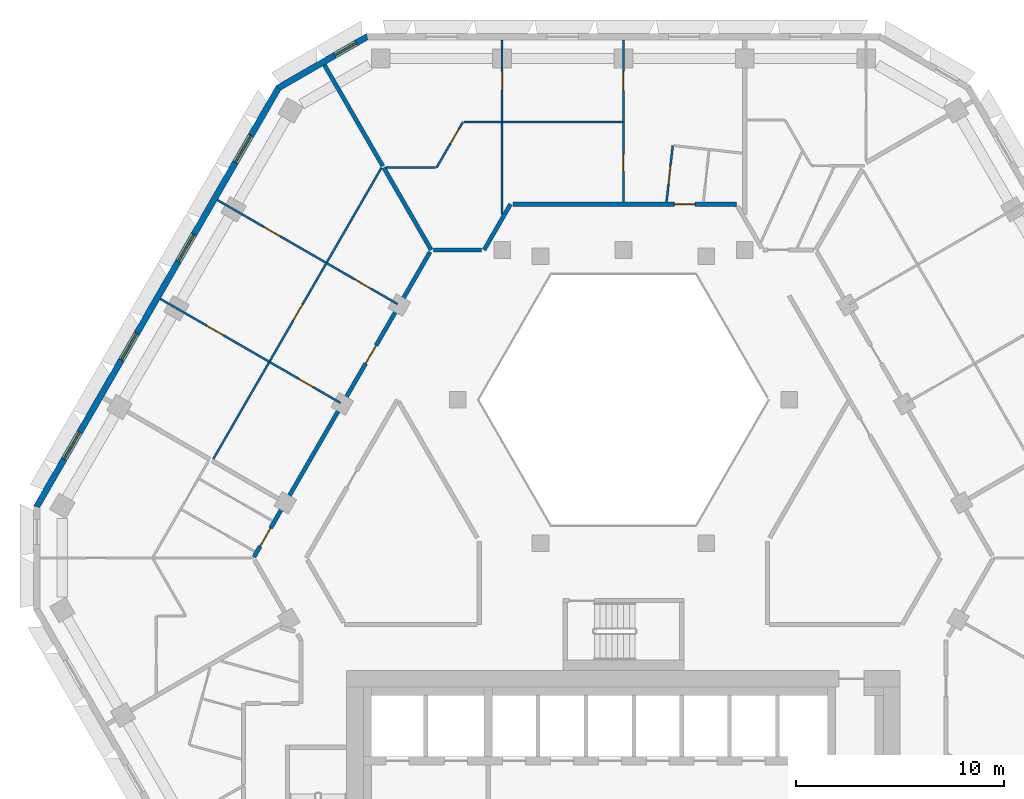
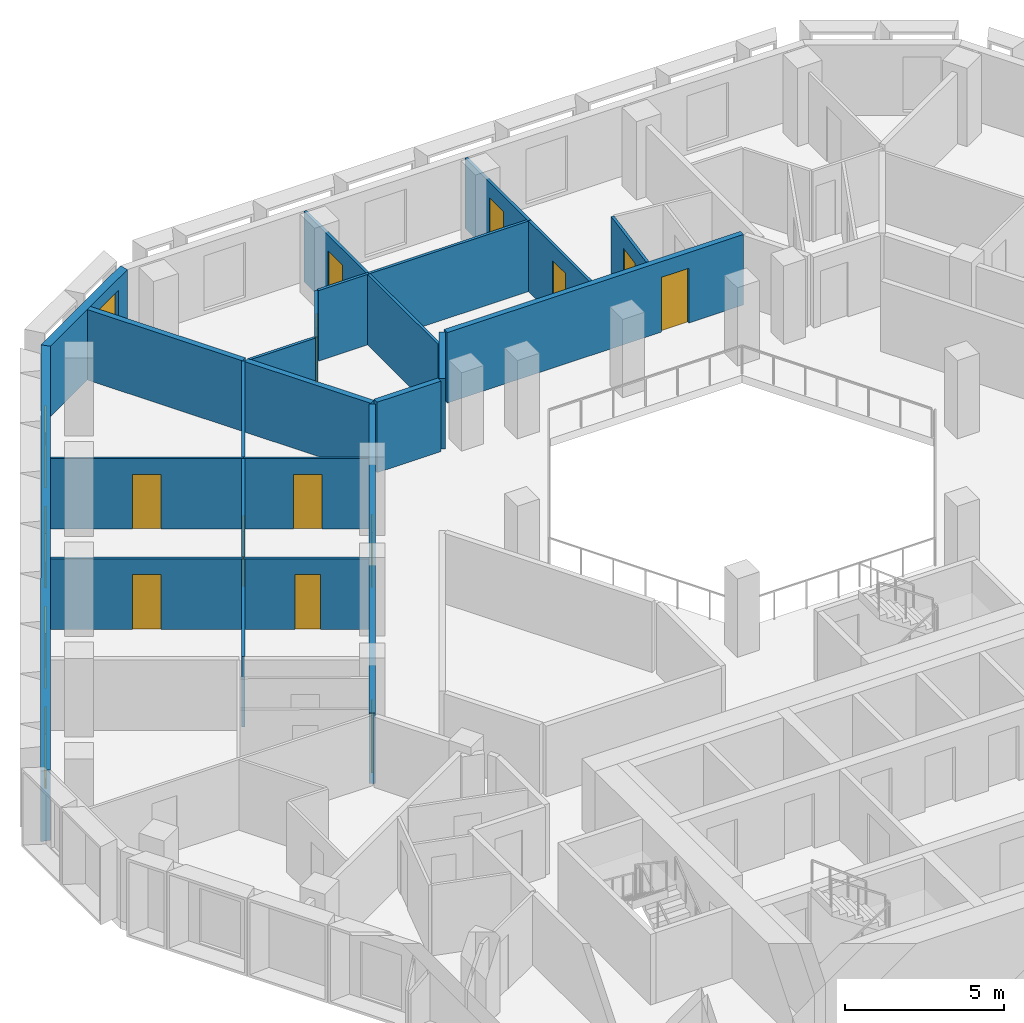
# One storey, part 7 of 15: 21 walls, 13 doors, 5 windows, 18 openings.
"""IFC4 building model written with IfcOpenShell, lengths in metres."""

from ifc_helpers import new_model, si_unit, direction, frame, frame_2d, origin, place, context, subcontext, project, spatial, polyline, rectangle, outline, extrude, material, layer, layer_set, type_object, element, fill, save


model = new_model("IFC4")

# Units and contexts
model_context = context("Model", 3, precision=1e-05, world=origin(), true_north=direction((0.0, 1.0)))
body_context = subcontext(model_context, "Body", "Model", "MODEL_VIEW")
ifc_project = project(units=[si_unit("LENGTHUNIT", "METRE"), si_unit("AREAUNIT", "SQUARE_METRE"), si_unit("VOLUMEUNIT", "CUBIC_METRE"), si_unit("PLANEANGLEUNIT", "RADIAN"), si_unit("MASSUNIT", "GRAM", prefix="KILO")], contexts=[model_context])

# Site, building, storey
site_placement = place(None, origin())
site = spatial("IfcSite", under=ifc_project, at=site_placement, CompositionType="ELEMENT")
building_placement = place(site_placement, origin())
building = spatial("IfcBuilding", under=site, at=building_placement, Name="Beryl Residences", CompositionType="ELEMENT")
storey_placement = place(building_placement, frame((0.0, 0.0, 117.60009765625)))
storey = spatial("IfcBuildingStorey", under=building, at=storey_placement, Name="L35", CompositionType="ELEMENT", Elevation=117.60009765625)

# Wall, opening, window
ifc_material_1 = material(Name="Composite metal panel with mineral wool insulation")
ifc_layer_1 = layer(ifc_material_1, 0.300048828125)
ifc_layer_set_1 = layer_set([ifc_layer_1], Name="ES1 pale metal composite panel wall 300 mm")
wall_type_1 = type_object("IfcWallType", Name="ES1 pale metal composite panel wall 300 mm", PredefinedType="SOLIDWALL", material=ifc_layer_set_1)
wall_1_placement = place(storey_placement, frame((-12.280029296875, 25.469970703125, 0.0), z_axis=(0.0, 0.0, 1.0), x_axis=(-0.866022959057, -0.500004234368, 0.0)))
wall_1 = element("IfcWall", 1, at=wall_1_placement, inside=storey, type_object=wall_type_1, Name="ES1 external wall L35 N-NW", PredefinedType="SOLIDWALL", context=body_context, shape_type="SweptSolid", body=[
    extrude(outline(polyline([(0.0, -0.14990234375), (5.0, -0.14990234375), (4.919677734375, 0.14990234375), (0.080322265625, 0.14990234375), (0.0, -0.14990234375)])), origin(), (0.0, 0.0, 1.0), 2.699951171875),
])
opening_1_placement = place(wall_1_placement, frame((0.64990234375, 0.0, 0.14990234375)))
opening_1 = element("IfcOpeningElement", 2, at=opening_1_placement, cuts=wall_1, Name="Opening W2", PredefinedType="OPENING", context=body_context, shape_type="SweptSolid", body=[
    extrude(rectangle(XDim=1.199951171875, YDim=2.10009765625, at=frame_2d((0.60009765625, 1.050048828125))), frame((0.0, 0.159912109375, 0.0), z_axis=(0.0, -1.0, 0.0), x_axis=(1.0, 0.0, 0.0)), (0.0, 0.0, 1.0), 0.320068359375),
])
ifc_material_2 = material(Name="Aluminium and clear glass", Category="aluminium")
window_type_1 = type_object("IfcWindowType", Name="W2 chamfer window 1200 x 2100 mm", PartitioningType="SINGLE_PANEL", PredefinedType="WINDOW", material=ifc_material_2)
window_1_placement = place(opening_1_placement, origin())
window_1 = element("IfcWindow", 3, at=window_1_placement, inside=storey, type_object=window_type_1, Name="W2 window L35 N-NW 1", OverallHeight=2.10009765625, OverallWidth=1.199951171875, PartitioningType="SINGLE_PANEL", PredefinedType="WINDOW", context=body_context, shape_type="SweptSolid", body=[
    extrude(rectangle(XDim=1.199951171875, YDim=2.10009765625, at=frame_2d((0.60009765625, 1.050048828125))), frame((0.0, 0.030029296875, 0.0), z_axis=(0.0, -1.0, 0.0), x_axis=(1.0, 0.0, 0.0)), (0.0, 0.0, 1.0), 0.06005859375),
])
fill(opening_1, window_1)

# Wall, openings, windows
wall_2_placement = place(storey_placement, frame((-16.554931640625, 23.02490234375, 0.0), z_axis=(0.0, 0.0, 1.0), x_axis=(-0.500020536353, -0.866013546791, 0.0)))
wall_2 = element("IfcWall", 4, at=wall_2_placement, inside=storey, type_object=wall_type_1, Name="ES1 external wall L35 NW", PredefinedType="SOLIDWALL", context=body_context, shape_type="SweptSolid", body=[
    extrude(outline(polyline([(0.0, -0.14990234375), (23.3251953125, -0.14990234375), (23.244873046875, 0.14990234375), (0.080322265625, 0.14990234375), (0.0, -0.14990234375)])), origin(), (0.0, 0.0, 1.0), 2.699951171875),
])
opening_2_placement = place(wall_2_placement, frame((2.68505859375, 0.0, 0.14990234375)))
opening_2 = element("IfcOpeningElement", 5, at=opening_2_placement, cuts=wall_2, Name="Opening W1", PredefinedType="OPENING", context=body_context, shape_type="SweptSolid", body=[
    extrude(rectangle(XDim=1.5, YDim=2.10009765625, at=frame_2d((0.75, 1.050048828125))), frame((0.0, 0.159912109375, 0.0), z_axis=(0.0, -1.0, 0.0), x_axis=(1.0, 0.0, 0.0)), (0.0, 0.0, 1.0), 0.320068359375),
])
opening_3_placement = place(wall_2_placement, frame((8.1708984375, 0.0, 0.14990234375)))
opening_3 = element("IfcOpeningElement", 6, at=opening_3_placement, cuts=wall_2, Name="Opening W1", PredefinedType="OPENING", context=body_context, shape_type="SweptSolid", body=[
    extrude(rectangle(XDim=1.5, YDim=2.10009765625, at=frame_2d((0.75, 1.050048828125))), frame((0.0, 0.159912109375, 0.0), z_axis=(0.0, -1.0, 0.0), x_axis=(1.0, 0.0, 0.0)), (0.0, 0.0, 1.0), 0.320068359375),
])
opening_4_placement = place(wall_2_placement, frame((13.655029296875, 0.0, 0.14990234375)))
opening_4 = element("IfcOpeningElement", 7, at=opening_4_placement, cuts=wall_2, Name="Opening W1", PredefinedType="OPENING", context=body_context, shape_type="SweptSolid", body=[
    extrude(rectangle(XDim=1.5, YDim=2.10009765625, at=frame_2d((0.75, 1.050048828125))), frame((0.0, 0.159912109375, 0.0), z_axis=(0.0, -1.0, 0.0), x_axis=(1.0, 0.0, 0.0)), (0.0, 0.0, 1.0), 0.320068359375),
])
opening_5_placement = place(wall_2_placement, frame((19.139892578125, 0.0, 0.14990234375)))
opening_5 = element("IfcOpeningElement", 8, at=opening_5_placement, cuts=wall_2, Name="Opening W1", PredefinedType="OPENING", context=body_context, shape_type="SweptSolid", body=[
    extrude(rectangle(XDim=1.5, YDim=2.10009765625, at=frame_2d((0.75, 1.050048828125))), frame((0.0, 0.159912109375, 0.0), z_axis=(0.0, -1.0, 0.0), x_axis=(1.0, 0.0, 0.0)), (0.0, 0.0, 1.0), 0.320068359375),
])
ifc_material_3 = material(Name="Aluminium and clear glass", Category="aluminium")
window_type_2 = type_object("IfcWindowType", Name="W1 cell window 1500 x 2100 mm", PartitioningType="SINGLE_PANEL", PredefinedType="WINDOW", material=ifc_material_3)
window_2_placement = place(opening_2_placement, origin())
window_2 = element("IfcWindow", 9, at=window_2_placement, inside=storey, type_object=window_type_2, Name="W1 window L35 NW 2", OverallHeight=2.10009765625, OverallWidth=1.5, PartitioningType="SINGLE_PANEL", PredefinedType="WINDOW", context=body_context, shape_type="SweptSolid", body=[
    extrude(rectangle(XDim=1.5, YDim=2.10009765625, at=frame_2d((0.75, 1.050048828125))), frame((0.0, 0.030029296875, 0.0), z_axis=(0.0, -1.0, 0.0), x_axis=(1.0, 0.0, 0.0)), (0.0, 0.0, 1.0), 0.06005859375),
])
fill(opening_2, window_2)
window_3_placement = place(opening_3_placement, origin())
window_3 = element("IfcWindow", 10, at=window_3_placement, inside=storey, type_object=window_type_2, Name="W1 window L35 NW 4", OverallHeight=2.10009765625, OverallWidth=1.5, PartitioningType="SINGLE_PANEL", PredefinedType="WINDOW", context=body_context, shape_type="SweptSolid", body=[
    extrude(rectangle(XDim=1.5, YDim=2.10009765625, at=frame_2d((0.75, 1.050048828125))), frame((0.0, 0.030029296875, 0.0), z_axis=(0.0, -1.0, 0.0), x_axis=(1.0, 0.0, 0.0)), (0.0, 0.0, 1.0), 0.06005859375),
])
fill(opening_3, window_3)
window_4_placement = place(opening_4_placement, origin())
window_4 = element("IfcWindow", 11, at=window_4_placement, inside=storey, type_object=window_type_2, Name="W1 window L35 NW 6", OverallHeight=2.10009765625, OverallWidth=1.5, PartitioningType="SINGLE_PANEL", PredefinedType="WINDOW", context=body_context, shape_type="SweptSolid", body=[
    extrude(rectangle(XDim=1.5, YDim=2.10009765625, at=frame_2d((0.75, 1.050048828125))), frame((0.0, 0.030029296875, 0.0), z_axis=(0.0, -1.0, 0.0), x_axis=(1.0, 0.0, 0.0)), (0.0, 0.0, 1.0), 0.06005859375),
])
fill(opening_4, window_4)
window_5_placement = place(opening_5_placement, origin())
window_5 = element("IfcWindow", 12, at=window_5_placement, inside=storey, type_object=window_type_2, Name="W1 window L35 NW 8", OverallHeight=2.10009765625, OverallWidth=1.5, PartitioningType="SINGLE_PANEL", PredefinedType="WINDOW", context=body_context, shape_type="SweptSolid", body=[
    extrude(rectangle(XDim=1.5, YDim=2.10009765625, at=frame_2d((0.75, 1.050048828125))), frame((0.0, 0.030029296875, 0.0), z_axis=(0.0, -1.0, 0.0), x_axis=(1.0, 0.0, 0.0)), (0.0, 0.0, 1.0), 0.06005859375),
])
fill(opening_5, window_5)

# Wall, opening, door
ifc_material_4 = material(Name="Gypsum board partition on steel studs", Category="steel")
ifc_layer_2 = layer(ifc_material_4, 0.10009765625)
ifc_layer_set_2 = layer_set([ifc_layer_2], Name="PT1 partition 100 mm gypsum board on steel studs")
wall_type_2 = type_object("IfcWallType", Name="PT1 partition 100 mm gypsum board on steel studs", PredefinedType="PARTITIONING", material=ifc_layer_set_2)
wall_3_placement = place(storey_placement, frame((0.0, 21.324951171875, 0.0), z_axis=(0.0, 0.0, 1.0), x_axis=(0.0, -1.0, 0.0)))
wall_3 = element("IfcWall", 13, at=wall_3_placement, inside=storey, type_object=wall_type_2, Name="Wall PT1 L35 007", PredefinedType="PARTITIONING", context=body_context, shape_type="SweptSolid", body=[
    extrude(rectangle(XDim=3.824951171875, YDim=0.10009765625, at=frame_2d((1.91259765625, 0.0))), origin(), (0.0, 0.0, 1.0), 2.699951171875),
])
opening_6_placement = place(wall_3_placement, frame((1.537109375, 0.0, 0.0)))
opening_6 = element("IfcOpeningElement", 14, at=opening_6_placement, cuts=wall_3, Name="Opening D1233", PredefinedType="OPENING", context=body_context, shape_type="SweptSolid", body=[
    extrude(rectangle(XDim=0.800048828125, YDim=2.10009765625, at=frame_2d((0.39990234375, 1.050048828125))), frame((0.0, 0.06005859375, 0.0), z_axis=(0.0, -1.0, 0.0), x_axis=(1.0, 0.0, 0.0)), (0.0, 0.0, 1.0), 0.1201171875),
])
ifc_material_5 = material(Name="Timber door leaf", Category="wood")
door_type_1 = type_object("IfcDoorType", Name="D3 bathroom door 800 x 2100 mm", OperationType="SINGLE_SWING_LEFT", PredefinedType="DOOR", material=ifc_material_5)
door_1_placement = place(opening_6_placement, origin())
door_1 = element("IfcDoor", 15, at=door_1_placement, inside=storey, type_object=door_type_1, Name="Door D1233 L35 001", OperationType="SINGLE_SWING_LEFT", OverallHeight=2.10009765625, OverallWidth=0.800048828125, PredefinedType="DOOR", context=body_context, shape_type="SweptSolid", body=[
    extrude(rectangle(XDim=0.800048828125, YDim=2.10009765625, at=frame_2d((0.39990234375, 1.050048828125))), frame((0.0, 0.02490234375, 0.0), z_axis=(0.0, -1.0, 0.0), x_axis=(1.0, 0.0, 0.0)), (0.0, 0.0, 1.0), 0.050048828125),
])
fill(opening_6, door_1)

wall_4_placement = place(storey_placement, frame((-22.257080078125, 12.85009765625, 0.0), z_axis=(0.0, 0.0, 1.0), x_axis=(0.866028448709, -0.499994725999, 0.0)))
wall_4 = element("IfcWall", 16, at=wall_4_placement, inside=storey, type_object=wall_type_2, Name="Wall PT1 L35 015", PredefinedType="PARTITIONING", context=body_context, shape_type="SweptSolid", body=[
    extrude(rectangle(XDim=6.05419921875, YDim=0.10009765625, at=frame_2d((3.027099609375, 0.0))), origin(), (0.0, 0.0, 1.0), 2.699951171875),
])
opening_7_placement = place(wall_4_placement, frame((2.576904296875, 0.0, 0.0)))
opening_7 = element("IfcOpeningElement", 17, at=opening_7_placement, cuts=wall_4, Name="Opening D1241", PredefinedType="OPENING", context=body_context, shape_type="SweptSolid", body=[
    extrude(rectangle(XDim=0.89990234375, YDim=2.10009765625, at=frame_2d((0.449951171875, 1.050048828125))), frame((0.0, 0.06005859375, 0.0), z_axis=(0.0, -1.0, 0.0), x_axis=(1.0, 0.0, 0.0)), (0.0, 0.0, 1.0), 0.1201171875),
])
ifc_material_6 = material(Name="Timber door leaf", Category="wood")
door_type_2 = type_object("IfcDoorType", Name="D2 room door 900 x 2100 mm", OperationType="SINGLE_SWING_LEFT", PredefinedType="DOOR", material=ifc_material_6)
door_2_placement = place(opening_7_placement, origin())
door_2 = element("IfcDoor", 18, at=door_2_placement, inside=storey, type_object=door_type_2, Name="Door D1241 L35 001", OperationType="SINGLE_SWING_LEFT", OverallHeight=2.10009765625, OverallWidth=0.89990234375, PredefinedType="DOOR", context=body_context, shape_type="SweptSolid", body=[
    extrude(rectangle(XDim=0.89990234375, YDim=2.10009765625, at=frame_2d((0.449951171875, 1.050048828125))), frame((0.0, 0.02490234375, 0.0), z_axis=(0.0, -1.0, 0.0), x_axis=(1.0, 0.0, 0.0)), (0.0, 0.0, 1.0), 0.050048828125),
])
fill(opening_7, door_2)

wall_5_placement = place(storey_placement, frame((-19.513916015625, 17.59912109375, 0.0), z_axis=(0.0, 0.0, 1.0), x_axis=(0.866088213453, -0.49989119468, 0.0)))
wall_5 = element("IfcWall", 19, at=wall_5_placement, inside=storey, type_object=wall_type_2, Name="Wall PT1 L35 017", PredefinedType="PARTITIONING", context=body_context, shape_type="SweptSolid", body=[
    extrude(rectangle(XDim=6.053466796875, YDim=0.10009765625, at=frame_2d((3.02685546875, 0.0))), origin(), (0.0, 0.0, 1.0), 2.699951171875),
])
opening_8_placement = place(wall_5_placement, frame((2.576904296875, 0.0, 0.0)))
opening_8 = element("IfcOpeningElement", 20, at=opening_8_placement, cuts=wall_5, Name="Opening D1242", PredefinedType="OPENING", context=body_context, shape_type="SweptSolid", body=[
    extrude(rectangle(XDim=0.89990234375, YDim=2.10009765625, at=frame_2d((0.449951171875, 1.050048828125))), frame((0.0, 0.06005859375, 0.0), z_axis=(0.0, -1.0, 0.0), x_axis=(1.0, 0.0, 0.0)), (0.0, 0.0, 1.0), 0.1201171875),
])
door_3_placement = place(opening_8_placement, origin())
door_3 = element("IfcDoor", 21, at=door_3_placement, inside=storey, type_object=door_type_2, Name="Door D1242 L35 001", OperationType="SINGLE_SWING_RIGHT", OverallHeight=2.10009765625, OverallWidth=0.89990234375, PredefinedType="DOOR", context=body_context, shape_type="SweptSolid", body=[
    extrude(rectangle(XDim=0.89990234375, YDim=2.10009765625, at=frame_2d((0.449951171875, 1.050048828125))), frame((0.0, 0.02490234375, 0.0), z_axis=(0.0, -1.0, 0.0), x_axis=(1.0, 0.0, 0.0)), (0.0, 0.0, 1.0), 0.050048828125),
])
fill(opening_8, door_3)

# Walls
wall_6_placement = place(storey_placement, frame((-11.405029296875, 19.155029296875, 0.0), z_axis=(0.0, 0.0, 1.0), x_axis=(1.0, 0.0, 0.0)))
element("IfcWall", 22, at=wall_6_placement, inside=storey, type_object=wall_type_2, Name="Wall PT1 L35 025", PredefinedType="PARTITIONING", context=body_context, shape_type="SweptSolid", body=[
    extrude(rectangle(XDim=2.366943359375, YDim=0.10009765625, at=frame_2d((1.18359375, 0.0))), origin(), (0.0, 0.0, 1.0), 2.699951171875),
])
wall_7_placement = place(storey_placement, frame((-7.652099609375, 21.35498046875, 0.0), z_axis=(0.0, 0.0, 1.0), x_axis=(1.0, 0.0, 0.0)))
element("IfcWall", 23, at=wall_7_placement, inside=storey, type_object=wall_type_2, Name="Wall PT1 L35 027", PredefinedType="PARTITIONING", context=body_context, shape_type="SweptSolid", body=[
    extrude(rectangle(XDim=1.821044921875, YDim=0.10009765625, at=frame_2d((0.91064453125, 0.0))), origin(), (0.0, 0.0, 1.0), 2.699951171875),
])

# Wall, opening, door
wall_8_placement = place(storey_placement, frame((-8.98095703125, 19.155029296875, 0.0), z_axis=(0.0, 0.0, 1.0), x_axis=(0.500130227609, 0.865950203783, 0.0)))
wall_8 = element("IfcWall", 24, at=wall_8_placement, inside=storey, type_object=wall_type_2, Name="Wall PT1 L35 030", PredefinedType="PARTITIONING", context=body_context, shape_type="SweptSolid", body=[
    extrude(rectangle(XDim=2.539306640625, YDim=0.10009765625, at=frame_2d((1.26953125, 0.0))), origin(), (0.0, 0.0, 1.0), 2.699951171875),
])
opening_9_placement = place(wall_8_placement, frame((1.340087890625, 0.0, 0.0)))
opening_9 = element("IfcOpeningElement", 25, at=opening_9_placement, cuts=wall_8, Name="Opening D1236", PredefinedType="OPENING", context=body_context, shape_type="SweptSolid", body=[
    extrude(rectangle(XDim=0.800048828125, YDim=2.10009765625, at=frame_2d((0.39990234375, 1.050048828125))), frame((0.0, 0.06005859375, 0.0), z_axis=(0.0, -1.0, 0.0), x_axis=(1.0, 0.0, 0.0)), (0.0, 0.0, 1.0), 0.1201171875),
])
door_4_placement = place(opening_9_placement, origin())
door_4 = element("IfcDoor", 26, at=door_4_placement, inside=storey, type_object=door_type_1, Name="Door D1236 L35 001", OperationType="SINGLE_SWING_RIGHT", OverallHeight=2.10009765625, OverallWidth=0.800048828125, PredefinedType="DOOR", context=body_context, shape_type="SweptSolid", body=[
    extrude(rectangle(XDim=0.800048828125, YDim=2.10009765625, at=frame_2d((0.39990234375, 1.050048828125))), frame((0.0, 0.02490234375, 0.0), z_axis=(0.0, -1.0, 0.0), x_axis=(1.0, 0.0, 0.0)), (0.0, 0.0, 1.0), 0.050048828125),
])
fill(opening_9, door_4)

wall_9_placement = place(storey_placement, frame((-19.7060546875, 5.159912109375, 0.0), z_axis=(0.0, 0.0, 1.0), x_axis=(0.500003799672, 0.866023210032, 0.0)))
wall_9 = element("IfcWall", 27, at=wall_9_placement, inside=storey, type_object=wall_type_2, Name="Wall PT1 L35 031", PredefinedType="PARTITIONING", context=body_context, shape_type="SweptSolid", body=[
    extrude(rectangle(XDim=16.149658203125, YDim=0.10009765625, at=frame_2d((8.07470703125, 0.0))), origin(), (0.0, 0.0, 1.0), 2.699951171875),
])
opening_10_placement = place(wall_9_placement, frame((7.677001953125, 0.0, 0.0)))
opening_10 = element("IfcOpeningElement", 28, at=opening_10_placement, cuts=wall_9, Name="Opening D1238", PredefinedType="OPENING", context=body_context, shape_type="SweptSolid", body=[
    extrude(rectangle(XDim=0.89990234375, YDim=2.10009765625, at=frame_2d((0.449951171875, 1.050048828125))), frame((0.0, 0.06005859375, 0.0), z_axis=(0.0, -1.0, 0.0), x_axis=(1.0, 0.0, 0.0)), (0.0, 0.0, 1.0), 0.1201171875),
])
door_5_placement = place(opening_10_placement, origin())
door_5 = element("IfcDoor", 29, at=door_5_placement, inside=storey, type_object=door_type_2, Name="Door D1238 L35 001", OperationType="SINGLE_SWING_RIGHT", OverallHeight=2.10009765625, OverallWidth=0.89990234375, PredefinedType="DOOR", context=body_context, shape_type="SweptSolid", body=[
    extrude(rectangle(XDim=0.89990234375, YDim=2.10009765625, at=frame_2d((0.449951171875, 1.050048828125))), frame((0.0, 0.02490234375, 0.0), z_axis=(0.0, -1.0, 0.0), x_axis=(1.0, 0.0, 0.0)), (0.0, 0.0, 1.0), 0.050048828125),
])
fill(opening_10, door_5)

wall_10_placement = place(storey_placement, frame((2.070068359375, 17.5, 0.0), z_axis=(0.0, 0.0, 1.0), x_axis=(0.108970694085, 0.994044962681, 0.0)))
wall_10 = element("IfcWall", 30, at=wall_10_placement, inside=storey, type_object=wall_type_2, Name="Wall PT1 L35 036", PredefinedType="PARTITIONING", context=body_context, shape_type="SweptSolid", body=[
    extrude(rectangle(XDim=2.7333984375, YDim=0.10009765625, at=frame_2d((1.36669921875, 0.0))), origin(), (0.0, 0.0, 1.0), 2.699951171875),
])
opening_11_placement = place(wall_10_placement, frame((0.866943359375, 0.0, 0.0)))
opening_11 = element("IfcOpeningElement", 31, at=opening_11_placement, cuts=wall_10, Name="Opening D1231", PredefinedType="OPENING", context=body_context, shape_type="SweptSolid", body=[
    extrude(rectangle(XDim=0.89990234375, YDim=2.10009765625, at=frame_2d((0.449951171875, 1.050048828125))), frame((0.0, 0.06005859375, 0.0), z_axis=(0.0, -1.0, 0.0), x_axis=(1.0, 0.0, 0.0)), (0.0, 0.0, 1.0), 0.1201171875),
])
door_6_placement = place(opening_11_placement, origin())
door_6 = element("IfcDoor", 32, at=door_6_placement, inside=storey, type_object=door_type_2, Name="Door D1231 L35 001", OperationType="SINGLE_SWING_LEFT", OverallHeight=2.10009765625, OverallWidth=0.89990234375, PredefinedType="DOOR", context=body_context, shape_type="SweptSolid", body=[
    extrude(rectangle(XDim=0.89990234375, YDim=2.10009765625, at=frame_2d((0.449951171875, 1.050048828125))), frame((0.0, 0.02490234375, 0.0), z_axis=(0.0, -1.0, 0.0), x_axis=(1.0, 0.0, 0.0)), (0.0, 0.0, 1.0), 0.050048828125),
])
fill(opening_11, door_6)

wall_11_placement = place(storey_placement, frame((0.0, 21.3349609375, 0.0), z_axis=(0.0, 0.0, 1.0), x_axis=(0.0, 1.0, 0.0)))
wall_11 = element("IfcWall", 33, at=wall_11_placement, inside=storey, type_object=wall_type_2, Name="Wall PT1 L35 043", PredefinedType="PARTITIONING", context=body_context, shape_type="SweptSolid", body=[
    extrude(rectangle(XDim=3.965087890625, YDim=0.10009765625, at=frame_2d((1.982421875, 0.0))), origin(), (0.0, 0.0, 1.0), 2.699951171875),
])
opening_12_placement = place(wall_11_placement, frame((1.532958984375, 0.0, 0.0)))
opening_12 = element("IfcOpeningElement", 34, at=opening_12_placement, cuts=wall_11, Name="Opening D1234", PredefinedType="OPENING", context=body_context, shape_type="SweptSolid", body=[
    extrude(rectangle(XDim=0.89990234375, YDim=2.10009765625, at=frame_2d((0.449951171875, 1.050048828125))), frame((0.0, 0.06005859375, 0.0), z_axis=(0.0, -1.0, 0.0), x_axis=(1.0, 0.0, 0.0)), (0.0, 0.0, 1.0), 0.1201171875),
])
door_7_placement = place(opening_12_placement, origin())
door_7 = element("IfcDoor", 35, at=door_7_placement, inside=storey, type_object=door_type_2, Name="Door D1234 L35 001", OperationType="SINGLE_SWING_RIGHT", OverallHeight=2.10009765625, OverallWidth=0.89990234375, PredefinedType="DOOR", context=body_context, shape_type="SweptSolid", body=[
    extrude(rectangle(XDim=0.89990234375, YDim=2.10009765625, at=frame_2d((0.449951171875, 1.050048828125))), frame((0.0, 0.02490234375, 0.0), z_axis=(0.0, -1.0, 0.0), x_axis=(1.0, 0.0, 0.0)), (0.0, 0.0, 1.0), 0.050048828125),
])
fill(opening_12, door_7)

wall_12_placement = place(storey_placement, frame((-5.8310546875, 16.89990234375, 0.0), z_axis=(0.0, 0.0, 1.0), x_axis=(0.0, 1.0, 0.0)))
wall_12 = element("IfcWall", 36, at=wall_12_placement, inside=storey, type_object=wall_type_2, Name="Wall PT1 L35 045", PredefinedType="PARTITIONING", context=body_context, shape_type="SweptSolid", body=[
    extrude(rectangle(XDim=8.400146484375, YDim=0.10009765625, at=frame_2d((4.2001953125, 0.0))), origin(), (0.0, 0.0, 1.0), 2.699951171875),
])
opening_13_placement = place(wall_12_placement, frame((5.97705078125, 0.0, 0.0)))
opening_13 = element("IfcOpeningElement", 37, at=opening_13_placement, cuts=wall_12, Name="Opening D1235", PredefinedType="OPENING", context=body_context, shape_type="SweptSolid", body=[
    extrude(rectangle(XDim=0.89990234375, YDim=2.10009765625, at=frame_2d((0.449951171875, 1.050048828125))), frame((0.0, 0.06005859375, 0.0), z_axis=(0.0, -1.0, 0.0), x_axis=(1.0, 0.0, 0.0)), (0.0, 0.0, 1.0), 0.1201171875),
])
door_8_placement = place(opening_13_placement, origin())
door_8 = element("IfcDoor", 38, at=door_8_placement, inside=storey, type_object=door_type_2, Name="Door D1235 L35 001", OperationType="SINGLE_SWING_LEFT", OverallHeight=2.10009765625, OverallWidth=0.89990234375, PredefinedType="DOOR", context=body_context, shape_type="SweptSolid", body=[
    extrude(rectangle(XDim=0.89990234375, YDim=2.10009765625, at=frame_2d((0.449951171875, 1.050048828125))), frame((0.0, 0.02490234375, 0.0), z_axis=(0.0, -1.0, 0.0), x_axis=(1.0, 0.0, 0.0)), (0.0, 0.0, 1.0), 0.050048828125),
])
fill(opening_13, door_8)

wall_13_placement = place(storey_placement, frame((-17.013916015625, 9.822998046875, 0.0), z_axis=(0.0, 0.0, 1.0), x_axis=(0.866076396086, -0.499911668341, 0.0)))
wall_13 = element("IfcWall", 39, at=wall_13_placement, inside=storey, type_object=wall_type_2, Name="Wall PT1 L35 055", PredefinedType="PARTITIONING", context=body_context, shape_type="SweptSolid", body=[
    extrude(rectangle(XDim=3.946533203125, YDim=0.10009765625, at=frame_2d((1.97314453125, 0.0))), origin(), (0.0, 0.0, 1.0), 2.699951171875),
])
opening_14_placement = place(wall_13_placement, frame((1.623046875, 0.0, 0.0)))
opening_14 = element("IfcOpeningElement", 40, at=opening_14_placement, cuts=wall_13, Name="Opening D1240", PredefinedType="OPENING", context=body_context, shape_type="SweptSolid", body=[
    extrude(rectangle(XDim=0.800048828125, YDim=2.10009765625, at=frame_2d((0.39990234375, 1.050048828125))), frame((0.0, 0.06005859375, 0.0), z_axis=(0.0, -1.0, 0.0), x_axis=(1.0, 0.0, 0.0)), (0.0, 0.0, 1.0), 0.1201171875),
])
door_9_placement = place(opening_14_placement, origin())
door_9 = element("IfcDoor", 41, at=door_9_placement, inside=storey, type_object=door_type_1, Name="Door D1240 L35 001", OperationType="SINGLE_SWING_RIGHT", OverallHeight=2.10009765625, OverallWidth=0.800048828125, PredefinedType="DOOR", context=body_context, shape_type="SweptSolid", body=[
    extrude(rectangle(XDim=0.800048828125, YDim=2.10009765625, at=frame_2d((0.39990234375, 1.050048828125))), frame((0.0, 0.02490234375, 0.0), z_axis=(0.0, -1.0, 0.0), x_axis=(1.0, 0.0, 0.0)), (0.0, 0.0, 1.0), 0.050048828125),
])
fill(opening_14, door_9)

wall_14_placement = place(storey_placement, frame((-14.27099609375, 14.572998046875, 0.0), z_axis=(0.0, 0.0, 1.0), x_axis=(0.866014535457, -0.500018824023, 0.0)))
wall_14 = element("IfcWall", 42, at=wall_14_placement, inside=storey, type_object=wall_type_2, Name="Wall PT1 L35 056", PredefinedType="PARTITIONING", context=body_context, shape_type="SweptSolid", body=[
    extrude(rectangle(XDim=3.945556640625, YDim=0.10009765625, at=frame_2d((1.97265625, 0.0))), origin(), (0.0, 0.0, 1.0), 2.699951171875),
])
opening_15_placement = place(wall_14_placement, frame((1.573974609375, 0.0, 0.0)))
opening_15 = element("IfcOpeningElement", 43, at=opening_15_placement, cuts=wall_14, Name="Opening D1239", PredefinedType="OPENING", context=body_context, shape_type="SweptSolid", body=[
    extrude(rectangle(XDim=0.89990234375, YDim=2.10009765625, at=frame_2d((0.449951171875, 1.050048828125))), frame((0.0, 0.06005859375, 0.0), z_axis=(0.0, -1.0, 0.0), x_axis=(1.0, 0.0, 0.0)), (0.0, 0.0, 1.0), 0.1201171875),
])
door_10_placement = place(opening_15_placement, origin())
door_10 = element("IfcDoor", 44, at=door_10_placement, inside=storey, type_object=door_type_2, Name="Door D1239 L35 001", OperationType="SINGLE_SWING_LEFT", OverallHeight=2.10009765625, OverallWidth=0.89990234375, PredefinedType="DOOR", context=body_context, shape_type="SweptSolid", body=[
    extrude(rectangle(XDim=0.89990234375, YDim=2.10009765625, at=frame_2d((0.449951171875, 1.050048828125))), frame((0.0, 0.02490234375, 0.0), z_axis=(0.0, -1.0, 0.0), x_axis=(1.0, 0.0, 0.0)), (0.0, 0.0, 1.0), 0.050048828125),
])
fill(opening_15, door_10)

# Walls
wall_15_placement = place(storey_placement, frame((-5.8310546875, 21.35498046875, 0.0), z_axis=(0.0, 0.0, 1.0), x_axis=(1.0, 0.0, 0.0)))
element("IfcWall", 45, at=wall_15_placement, inside=storey, type_object=wall_type_2, Name="Wall PT1 L35 057", PredefinedType="PARTITIONING", context=body_context, shape_type="SweptSolid", body=[
    extrude(rectangle(XDim=5.781005859375, YDim=0.10009765625, at=frame_2d((2.890625, 0.0))), origin(), (0.0, 0.0, 1.0), 2.699951171875),
])
ifc_material_7 = material(Name="Acoustic double stud gypsum board wall")
ifc_layer_3 = layer(ifc_material_7, 0.199951171875)
ifc_layer_set_3 = layer_set([ifc_layer_3], Name="PT3 party wall 200 mm acoustic double stud")
wall_type_3 = type_object("IfcWallType", Name="PT3 party wall 200 mm acoustic double stud", PredefinedType="PARTITIONING", material=ifc_layer_set_3)
wall_16_placement = place(storey_placement, frame((-14.3701171875, 24.090087890625, 0.0), z_axis=(0.0, 0.0, 1.0), x_axis=(0.499982088007, -0.866035745032, 0.0)))
element("IfcWall", 46, at=wall_16_placement, inside=storey, type_object=wall_type_3, Name="Wall PT3 L35 001", PredefinedType="PARTITIONING", context=body_context, shape_type="SweptSolid", body=[
    extrude(rectangle(XDim=5.616455078125, YDim=0.199951171875, at=frame_2d((2.80810546875, 0.0))), origin(), (0.0, 0.0, 1.0), 2.699951171875),
])
wall_17_placement = place(storey_placement, frame((-11.52001953125, 19.155029296875, 0.0), z_axis=(0.0, 0.0, 1.0), x_axis=(0.499916824138, -0.866073420066, 0.0)))
element("IfcWall", 47, at=wall_17_placement, inside=storey, type_object=wall_type_3, Name="Wall PT3 L35 002", PredefinedType="PARTITIONING", context=body_context, shape_type="SweptSolid", body=[
    extrude(rectangle(XDim=4.566650390625, YDim=0.199951171875, at=frame_2d((2.283203125, 0.0))), origin(), (0.0, 0.0, 1.0), 2.699951171875),
])
ifc_material_8 = material(Name="Double stud gypsum board wall")
ifc_layer_4 = layer(ifc_material_8, 0.199951171875)
ifc_layer_set_4 = layer_set([ifc_layer_4], Name="PT4 corridor wall 200 mm double stud")
wall_type_4 = type_object("IfcWallType", Name="PT4 corridor wall 200 mm double stud", PredefinedType="PARTITIONING", material=ifc_layer_set_4)
wall_18_placement = place(storey_placement, frame((-9.12109375, 15.199951171875, 0.0), z_axis=(0.0, 0.0, 1.0), x_axis=(1.0, 0.0, 0.0)))
element("IfcWall", 48, at=wall_18_placement, inside=storey, type_object=wall_type_4, Name="Wall PT4 L35 015", PredefinedType="PARTITIONING", context=body_context, shape_type="SweptSolid", body=[
    extrude(rectangle(XDim=2.30810546875, YDim=0.199951171875, at=frame_2d((1.154052734375, 0.0))), origin(), (0.0, 0.0, 1.0), 2.699951171875),
])

# Wall, opening, door
wall_19_placement = place(storey_placement, frame((-5.31103515625, 17.39990234375, 0.0), z_axis=(0.0, 0.0, 1.0), x_axis=(1.0, 0.0, 0.0)))
wall_19 = element("IfcWall", 49, at=wall_19_placement, inside=storey, type_object=wall_type_4, Name="Wall PT4 L35 017", PredefinedType="PARTITIONING", context=body_context, shape_type="SweptSolid", body=[
    extrude(rectangle(XDim=10.738037109375, YDim=0.199951171875, at=frame_2d((5.369140625, 0.0))), origin(), (0.0, 0.0, 1.0), 2.699951171875),
])
opening_16_placement = place(wall_19_placement, frame((7.758056640625, 0.0, 0.0)))
opening_16 = element("IfcOpeningElement", 50, at=opening_16_placement, cuts=wall_19, Name="Opening D1230", PredefinedType="OPENING", context=body_context, shape_type="SweptSolid", body=[
    extrude(rectangle(XDim=1.0, YDim=2.10009765625, at=frame_2d((0.5, 1.050048828125))), frame((0.0, 0.10986328125, 0.0), z_axis=(0.0, -1.0, 0.0), x_axis=(1.0, 0.0, 0.0)), (0.0, 0.0, 1.0), 0.219970703125),
])
ifc_material_9 = material(Name="Timber door leaf", Category="wood")
door_type_3 = type_object("IfcDoorType", Name="D1 flat entrance door 1000 x 2100 mm", OperationType="SINGLE_SWING_LEFT", PredefinedType="DOOR", material=ifc_material_9)
door_11_placement = place(opening_16_placement, origin())
door_11 = element("IfcDoor", 51, at=door_11_placement, inside=storey, type_object=door_type_3, Name="Door D1230 L35 001", OperationType="SINGLE_SWING_RIGHT", OverallHeight=2.10009765625, OverallWidth=1.0, PredefinedType="DOOR", context=body_context, shape_type="SweptSolid", body=[
    extrude(rectangle(XDim=1.0, YDim=2.10009765625, at=frame_2d((0.5, 1.050048828125))), frame((0.0, 0.02490234375, 0.0), z_axis=(0.0, -1.0, 0.0), x_axis=(1.0, 0.0, 0.0)), (0.0, 0.0, 1.0), 0.050048828125),
])
fill(opening_16, door_11)

# Wall
wall_20_placement = place(storey_placement, frame((-6.697021484375, 15.199951171875, 0.0), z_axis=(0.0, 0.0, 1.0), x_axis=(0.499963722229, 0.866046347752, 0.0)))
element("IfcWall", 52, at=wall_20_placement, inside=storey, type_object=wall_type_4, Name="Wall PT4 L35 022", PredefinedType="PARTITIONING", context=body_context, shape_type="SweptSolid", body=[
    extrude(rectangle(XDim=2.540283203125, YDim=0.199951171875, at=frame_2d((1.27001953125, 0.0))), origin(), (0.0, 0.0, 1.0), 2.699951171875),
])

# Wall, openings, doors
wall_21_placement = place(storey_placement, frame((-17.7529296875, 0.449951171875, 0.0), z_axis=(0.0, 0.0, 1.0), x_axis=(0.499988552313, 0.866032013009, 0.0)))
wall_21 = element("IfcWall", 53, at=wall_21_placement, inside=storey, type_object=wall_type_4, Name="Wall PT4 L35 023", PredefinedType="PARTITIONING", context=body_context, shape_type="SweptSolid", body=[
    extrude(rectangle(XDim=16.91650390625, YDim=0.199951171875, at=frame_2d((8.458251953125, 0.0))), origin(), (0.0, 0.0, 1.0), 2.699951171875),
])
opening_17_placement = place(wall_21_placement, frame((10.72998046875, 0.0, 0.0)))
opening_17 = element("IfcOpeningElement", 54, at=opening_17_placement, cuts=wall_21, Name="Opening D1237", PredefinedType="OPENING", context=body_context, shape_type="SweptSolid", body=[
    extrude(rectangle(XDim=1.0, YDim=2.10009765625, at=frame_2d((0.5, 1.050048828125))), frame((0.0, 0.10986328125, 0.0), z_axis=(0.0, -1.0, 0.0), x_axis=(1.0, 0.0, 0.0)), (0.0, 0.0, 1.0), 0.219970703125),
])
opening_18_placement = place(wall_21_placement, frame((0.593994140625, 0.0, 0.0)))
opening_18 = element("IfcOpeningElement", 55, at=opening_18_placement, cuts=wall_21, Name="Opening D1243", PredefinedType="OPENING", context=body_context, shape_type="SweptSolid", body=[
    extrude(rectangle(XDim=1.0, YDim=2.10009765625, at=frame_2d((0.5, 1.050048828125))), frame((0.0, 0.10986328125, 0.0), z_axis=(0.0, -1.0, 0.0), x_axis=(1.0, 0.0, 0.0)), (0.0, 0.0, 1.0), 0.219970703125),
])
door_12_placement = place(opening_17_placement, origin())
door_12 = element("IfcDoor", 56, at=door_12_placement, inside=storey, type_object=door_type_3, Name="Door D1237 L35 001", OperationType="SINGLE_SWING_LEFT", OverallHeight=2.10009765625, OverallWidth=1.0, PredefinedType="DOOR", context=body_context, shape_type="SweptSolid", body=[
    extrude(rectangle(XDim=1.0, YDim=2.10009765625, at=frame_2d((0.5, 1.050048828125))), frame((0.0, 0.02490234375, 0.0), z_axis=(0.0, -1.0, 0.0), x_axis=(1.0, 0.0, 0.0)), (0.0, 0.0, 1.0), 0.050048828125),
])
fill(opening_17, door_12)
door_13_placement = place(opening_18_placement, origin())
door_13 = element("IfcDoor", 57, at=door_13_placement, inside=storey, type_object=door_type_3, Name="Door D1243 L35 001", OperationType="SINGLE_SWING_LEFT", OverallHeight=2.10009765625, OverallWidth=1.0, PredefinedType="DOOR", context=body_context, shape_type="SweptSolid", body=[
    extrude(rectangle(XDim=1.0, YDim=2.10009765625, at=frame_2d((0.5, 1.050048828125))), frame((0.0, 0.02490234375, 0.0), z_axis=(0.0, -1.0, 0.0), x_axis=(1.0, 0.0, 0.0)), (0.0, 0.0, 1.0), 0.050048828125),
])
fill(opening_18, door_13)

save(model, "model.ifc")
